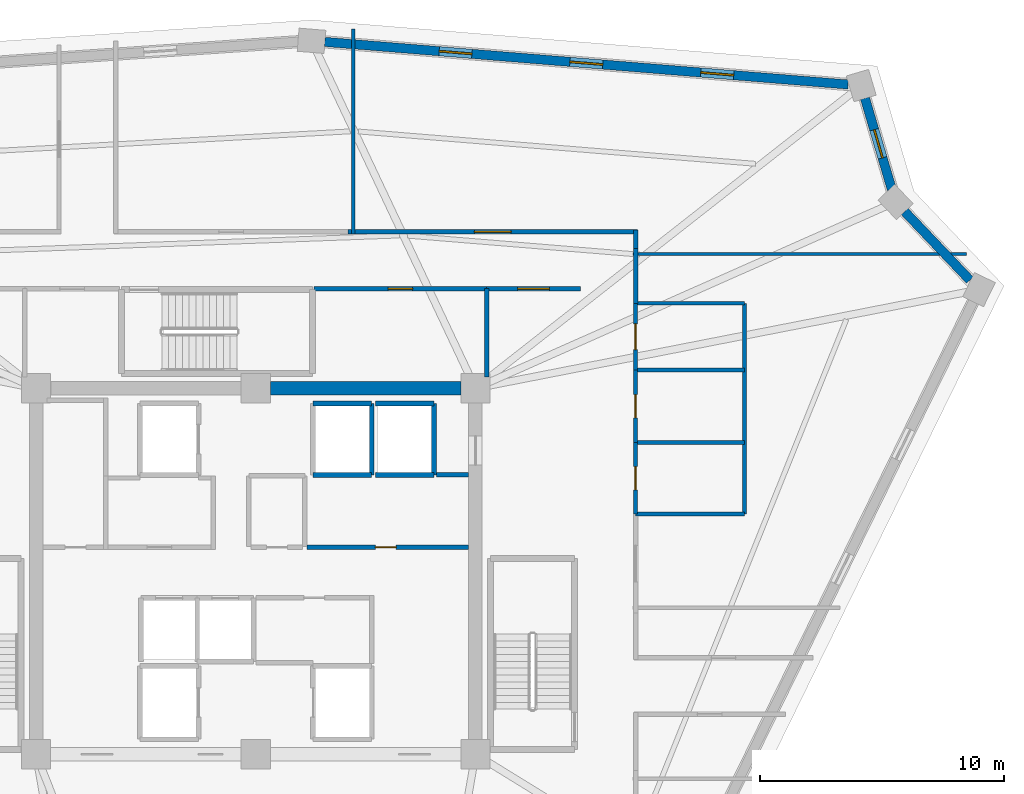
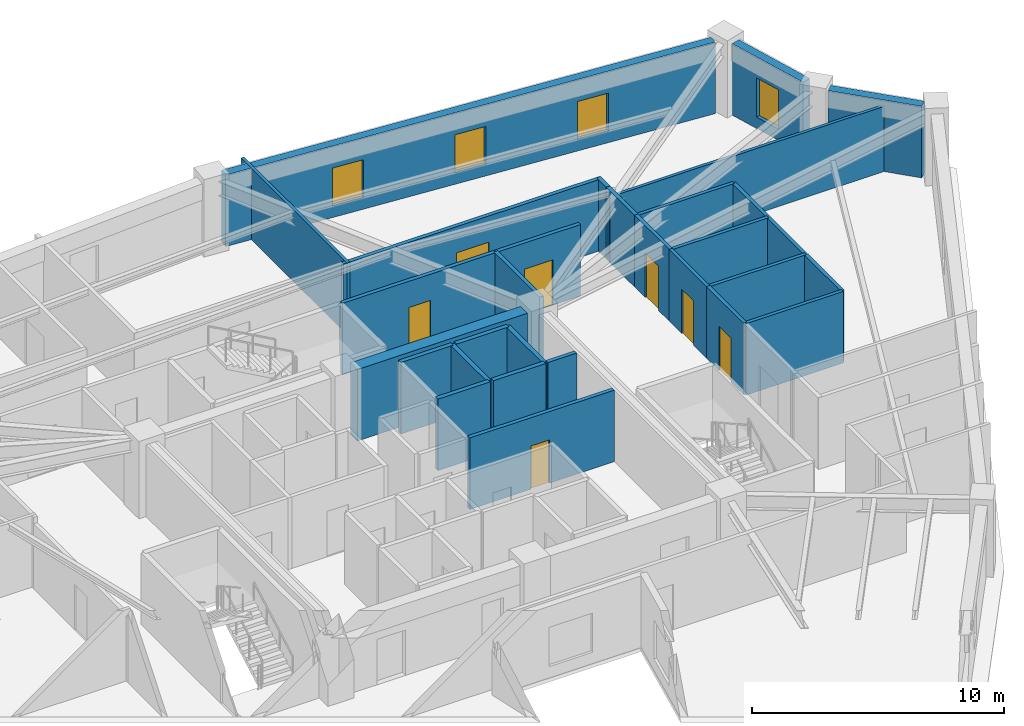
# One storey, part 6 of 8: 28 walls, 7 doors, 4 windows, 11 openings.
"""IFC4 building model written with IfcOpenShell, lengths in metres."""

import ifcopenshell
import ifcopenshell.guid

model = None  # the IFC model being written
_history = None  # IfcOwnerHistory: only IFC2X3 demands one
_inside = {}  # id of a spatial element -> (the spatial element, [elements in it])
_under = {}  # id of a project, library or spatial element -> (it, [spatial elements below it])
_declared = {}  # id of a project -> (the project, [libraries it declares])
_typed = {}  # id of a type object -> (the type object, [elements of that type])
_made_of = {}  # id of a material, layer set ... -> (it, [elements and type objects made of it])


def new_model(schema):
    """Start an empty IFC model of exactly this schema.

    Asked for "IFC4X3", IfcOpenShell would pick the latest addendum, in which some entities
    have other attributes; the version numbers below select the first issue.
    IFC2X3 requires an IfcOwnerHistory on every rooted entity: one is made here for all.
    """
    global model, _history
    if schema == "IFC4X3":
        model = ifcopenshell.file(schema_version=(4, 3, 0, 0))
    else:
        model = ifcopenshell.file(schema=schema)
    _inside.clear()
    _under.clear()
    _declared.clear()
    _typed.clear()
    _made_of.clear()
    _history = None
    if model.schema == "IFC2X3":
        org = make("IfcOrganization", Name="unknown")
        user = make(
            "IfcPersonAndOrganization",
            ThePerson=make("IfcPerson", FamilyName="unknown"),
            TheOrganization=org,
        )
        app = make(
            "IfcApplication",
            ApplicationDeveloper=org,
            Version="unknown",
            ApplicationFullName="unknown",
            ApplicationIdentifier="unknown",
        )
        _history = make(
            "IfcOwnerHistory",
            OwningUser=user,
            OwningApplication=app,
            ChangeAction="ADDED",
            CreationDate=0,
        )
    return model


def make(cls, **values):
    """One entity of the class cls with the attributes given. An attribute that is None is left unset."""
    return model.create_entity(
        cls, **{name: value for name, value in values.items() if value is not None}
    )


def rooted(cls, **values):
    """An entity with a GlobalId (a new one), such as an element, a storey or a relation."""
    return make(cls, GlobalId=ifcopenshell.guid.new(), OwnerHistory=_history, **values)


def si_unit(unit_type, name, prefix=None):
    """IfcSIUnit, for example si_unit("LENGTHUNIT", "METRE", prefix="MILLI")."""
    return make("IfcSIUnit", UnitType=unit_type, Prefix=prefix, Name=name)


def assignment(units):
    """IfcUnitAssignment: the units of a project."""
    return None if units is None else make("IfcUnitAssignment", Units=units)


def point(xyz):
    """IfcCartesianPoint."""
    return None if xyz is None else make("IfcCartesianPoint", Coordinates=xyz)


def direction(xyz):
    """IfcDirection."""
    return None if xyz is None else make("IfcDirection", DirectionRatios=xyz)


def frame(location, z_axis=None, x_axis=None):
    """IfcAxis2Placement3D, a coordinate frame: its origin and axes. An axis left out is left unset."""
    return make(
        "IfcAxis2Placement3D",
        Location=point(location),
        Axis=direction(z_axis),
        RefDirection=direction(x_axis),
    )


def frame_2d(location, x_axis=None):
    """IfcAxis2Placement2D, a coordinate frame in the plane: its origin and x axis."""
    return make(
        "IfcAxis2Placement2D", Location=point(location), RefDirection=direction(x_axis)
    )


def origin():
    """The frame at (0, 0, 0) with its axes left unset."""
    return frame((0.0, 0.0, 0.0))


def place(relative_to, where):
    """IfcLocalPlacement: puts the frame where relative to a parent placement (None: the world)."""
    return make(
        "IfcLocalPlacement", PlacementRelTo=relative_to, RelativePlacement=where
    )


def context(
    kind, dimensions, precision=None, world=None, true_north=None, identifier=None
):
    """IfcGeometricRepresentationContext, for example the 3D "Model" context."""
    return make(
        "IfcGeometricRepresentationContext",
        ContextIdentifier=identifier,
        ContextType=kind,
        CoordinateSpaceDimension=dimensions,
        Precision=precision,
        WorldCoordinateSystem=world,
        TrueNorth=true_north,
    )


def subcontext(parent, identifier, kind, view, scale=None):
    """IfcGeometricRepresentationSubContext, for example "Body" below "Model"."""
    return make(
        "IfcGeometricRepresentationSubContext",
        ContextIdentifier=identifier,
        ContextType=kind,
        ParentContext=parent,
        TargetScale=scale,
        TargetView=view,
    )


def project(units=None, contexts=None):
    """IfcProject with its units and contexts."""
    return rooted(
        "IfcProject",
        Name="project",
        RepresentationContexts=contexts,
        UnitsInContext=assignment(units),
    )


def spatial(cls, under=None, at=None, **own):
    """A site, building, storey or space (cls), placed at a placement, below another one or the project."""
    s = rooted(cls, ObjectPlacement=at, **own)
    if under is not None:
        _under.setdefault(under.id(), (under, []))[1].append(s)
    return s


def profile(cls, at=None, kind="AREA", **sizes):
    """A parametric profile (cls). Its sizes go by their IFC names, for example OverallWidth=200.0."""
    return make(cls, ProfileType=kind, Position=at, **sizes)


def rectangle(**sizes):
    """IfcRectangleProfileDef."""
    return profile("IfcRectangleProfileDef", **sizes)


def extrude(swept, where, along, depth):
    """IfcExtrudedAreaSolid: the profile swept, set in the frame where, extruded along a direction by depth."""
    return make(
        "IfcExtrudedAreaSolid",
        SweptArea=swept,
        Position=where,
        ExtrudedDirection=direction(along),
        Depth=depth,
    )


def shape(context_of_items, identifier, shape_type, items):
    """IfcShapeRepresentation: the items that make up one representation, for example the "Body"."""
    return make(
        "IfcShapeRepresentation",
        ContextOfItems=context_of_items,
        RepresentationIdentifier=identifier,
        RepresentationType=shape_type,
        Items=items,
    )


def source(mapping_origin, context_of_items, identifier, shape_type, items):
    """IfcRepresentationMap: a shape defined once, which mapped items show again and again."""
    return make(
        "IfcRepresentationMap",
        MappingOrigin=mapping_origin,
        MappedRepresentation=shape(context_of_items, identifier, shape_type, items),
    )


def transform(
    local_origin,
    x_axis=None,
    y_axis=None,
    z_axis=None,
    scale=None,
    scale2=None,
    scale3=None,
    uniform=True,
):
    """IfcCartesianTransformationOperator3D, or its non-uniform kind. x_axis, y_axis, z_axis: its Axis1, 2, 3."""
    if uniform:
        return make(
            "IfcCartesianTransformationOperator3D",
            Axis1=direction(x_axis),
            Axis2=direction(y_axis),
            LocalOrigin=point(local_origin),
            Scale=scale,
            Axis3=direction(z_axis),
        )
    return make(
        "IfcCartesianTransformationOperator3DnonUniform",
        Axis1=direction(x_axis),
        Axis2=direction(y_axis),
        LocalOrigin=point(local_origin),
        Scale=scale,
        Axis3=direction(z_axis),
        Scale2=scale2,
        Scale3=scale3,
    )


def mapped(mapping_source, mapping_target):
    """IfcMappedItem: shows the shape of a source again, moved by a transform."""
    return make(
        "IfcMappedItem", MappingSource=mapping_source, MappingTarget=mapping_target
    )


def material(Name=None, Category=None):
    """IfcMaterial."""
    return make("IfcMaterial", Name=Name, Category=Category)


def layer(
    of_material, thickness, ventilated=None, Name=None, Category=None, Priority=None
):
    """IfcMaterialLayer: one layer of a wall or slab, of a material (None: an air gap)."""
    return make(
        "IfcMaterialLayer",
        Material=of_material,
        LayerThickness=thickness,
        IsVentilated=ventilated,
        Name=Name,
        Category=Category,
        Priority=Priority,
    )


def layer_set(layers, Name=None):
    """IfcMaterialLayerSet."""
    return make("IfcMaterialLayerSet", MaterialLayers=layers, LayerSetName=Name)


def made_of(thing, what):
    """Note that an element or type object is made of a material, layer set ...; save() writes the relation."""
    if what is not None:
        _made_of.setdefault(what.id(), (what, []))[1].append(thing)
    return thing


def type_object(cls, material=None, **own):
    """A type object (cls), such as IfcWallType, which elements share."""
    return made_of(rooted(cls, **own), material)


def element(
    cls,
    number,
    at=None,
    inside=None,
    cuts=None,
    type_object=None,
    material=None,
    context=None,
    identifier="Body",
    shape_type=None,
    held_by="IfcProductDefinitionShape",
    body=None,
    shapes=None,
    **own,
):
    """One element of the class cls, such as IfcWall. Its Tag is "e" and its number.

    at: its placement. inside: the storey or other place that contains it. cuts: it is an
    opening in that element (IfcRelVoidsElement). A single representation is given by context,
    identifier, shape_type and body (its items); several are given by shapes. held_by: the class
    of the entity that holds the representations. save() writes the other relations.
    """
    e = rooted(cls, Tag="e%d" % number, ObjectPlacement=at, **own)
    if body is not None:
        shapes = [shape(context, identifier, shape_type, body)]
    if shapes is not None:
        e.Representation = make(held_by, Representations=shapes)
    if inside is not None:
        _inside.setdefault(inside.id(), (inside, []))[1].append(e)
    if cuts is not None:
        rooted(
            "IfcRelVoidsElement", RelatingBuildingElement=cuts, RelatedOpeningElement=e
        )
    if type_object is not None:
        _typed.setdefault(type_object.id(), (type_object, []))[1].append(e)
    return made_of(e, material)


def fill(opening, filler):
    """IfcRelFillsElement: the door or window that sits in an opening."""
    return rooted(
        "IfcRelFillsElement",
        RelatingOpeningElement=opening,
        RelatedBuildingElement=filler,
    )


def aggregate(whole, parts):
    """IfcRelAggregates: a whole, such as a stair, and the parts it consists of."""
    return rooted("IfcRelAggregates", RelatingObject=whole, RelatedObjects=parts)


def save(model, path):
    """Write the relations noted so far, then the file.

    IfcRelAggregates (storeys below a building ...), IfcRelContainedInSpatialStructure (elements
    in a storey), IfcRelDefinesByType, IfcRelAssociatesMaterial and IfcRelDeclares: one each for
    every whole, place, type object, material and project.
    """
    for whole, parts in _under.values():
        aggregate(whole, parts)
    for where, things in _inside.values():
        rooted(
            "IfcRelContainedInSpatialStructure",
            RelatedElements=things,
            RelatingStructure=where,
        )
    for kind, things in _typed.values():
        rooted("IfcRelDefinesByType", RelatedObjects=things, RelatingType=kind)
    for what, things in _made_of.values():
        rooted("IfcRelAssociatesMaterial", RelatedObjects=things, RelatingMaterial=what)
    for by, libraries in _declared.values():
        rooted("IfcRelDeclares", RelatingContext=by, RelatedDefinitions=libraries)
    model.write(path)


model = new_model("IFC4")

# Units and contexts
model_context = context("Model", 3, precision=1e-05, world=origin(), true_north=direction((0.0, 1.0)))
body_context = subcontext(model_context, "Body", "Model", "MODEL_VIEW")
ifc_project = project(units=[si_unit("LENGTHUNIT", "METRE"), si_unit("AREAUNIT", "SQUARE_METRE"), si_unit("VOLUMEUNIT", "CUBIC_METRE"), si_unit("PLANEANGLEUNIT", "RADIAN"), si_unit("MASSUNIT", "GRAM", prefix="KILO")], contexts=[model_context])

# Site, building, storey
site_placement = place(None, origin())
site = spatial("IfcSite", under=ifc_project, at=site_placement, CompositionType="ELEMENT")
building_placement = place(site_placement, origin())
building = spatial("IfcBuilding", under=site, at=building_placement, Name="Liaohun Quay Tower", CompositionType="ELEMENT")
storey_placement = place(building_placement, frame((0.0, 0.0, 320.25)))
storey = spatial("IfcBuildingStorey", under=building, at=storey_placement, Name="L83", CompositionType="ELEMENT", Elevation=320.25)

# Walls
ifc_material_1 = material(Name="Concrete C50", Category="concrete")
ifc_layer_1 = layer(ifc_material_1, 0.550048828125, Name="Concrete C50", Category="concrete")
ifc_layer_set_1 = layer_set([ifc_layer_1], Name="Concrete C50")
wall_type_1 = type_object("IfcWallType", Name="WAL-COR-Z4", PredefinedType="SHEAR", material=ifc_layer_set_1)
wall_1_placement = place(storey_placement, frame((60.60009765625, 61.5, 0.0), z_axis=(0.0, 0.0, 1.0), x_axis=(1.0, 0.0, 0.0)))
element("IfcWall", 1, at=wall_1_placement, inside=storey, type_object=wall_type_1, Name="L83 Central Core Shear Wall N-E", PredefinedType="SHEAR", context=body_context, shape_type="SweptSolid", body=[
    extrude(rectangle(XDim=7.7998046875, YDim=0.550048828125, at=frame_2d((3.89990234375, 0.0))), origin(), (0.0, 0.0, 1.0), 3.469970703125),
])
ifc_material_2 = material(Name="Precast concrete C50 insulated sandwich", Category="concrete")
ifc_layer_2 = layer(ifc_material_2, 0.3798828125, Name="Precast concrete C50 insulated sandwich", Category="concrete")
ifc_layer_set_2 = layer_set([ifc_layer_2], Name="Precast concrete C50 insulated sandwich")
wall_type_2 = type_object("IfcWallType", Name="WAL-EXT-Z34", PredefinedType="SOLIDWALL", material=ifc_layer_set_2)
wall_2_placement = place(storey_placement, frame((89.258056640625, 65.928955078125, 0.0), z_axis=(0.0, 0.0, 1.0), x_axis=(-0.689374007366, 0.724405603215, 0.0)))
element("IfcWall", 2, at=wall_2_placement, inside=storey, type_object=wall_type_2, Name="L83 Brutalist Precast Pier Wall 04", PredefinedType="SOLIDWALL", context=body_context, shape_type="SweptSolid", body=[
    extrude(rectangle(XDim=3.8818359375, YDim=0.3798828125, at=frame_2d((1.94091796875, 0.0))), origin(), (0.0, 0.0, 1.0), 3.469970703125),
])

# Wall, opening, window
wall_3_placement = place(storey_placement, frame((86.056884765625, 69.64990234375, 0.0), z_axis=(0.0, 0.0, 1.0), x_axis=(-0.282512921689, 0.95926349304, 0.0)))
wall_3 = element("IfcWall", 3, at=wall_3_placement, inside=storey, type_object=wall_type_2, Name="L83 Brutalist Precast Pier Wall 05", PredefinedType="SOLIDWALL", context=body_context, shape_type="SweptSolid", body=[
    extrude(rectangle(XDim=3.8896484375, YDim=0.3798828125, at=frame_2d((1.94482421875, 0.0))), origin(), (0.0, 0.0, 1.0), 3.469970703125),
])
shared_shape_1 = source(origin(), body_context, "Body", "SweptSolid", [
    extrude(rectangle(XDim=1.199951171875, YDim=1.89990234375, at=frame_2d((0.60009765625, 0.949951171875))), frame((0.0, 0.199951171875, 0.0), z_axis=(0.0, -1.0, 0.0), x_axis=(1.0, 0.0, 0.0)), (0.0, 0.0, 1.0), 0.39990234375),
])
opening_1_placement = place(wall_3_placement, frame((1.344970703125, 0.0, 0.550048828125)))
opening_1 = element("IfcOpeningElement", 4, at=opening_1_placement, cuts=wall_3, Name="Opening W05", PredefinedType="OPENING", context=body_context, shape_type="MappedRepresentation", body=[
    mapped(shared_shape_1, transform((0.0, 0.0, 0.0), x_axis=(1.0, 0.0, 0.0), y_axis=(0.0, 1.0, 0.0), z_axis=(0.0, 0.0, 1.0), scale=1.0)),
])
ifc_material_3 = material(Name="Triple Low-E corner notch glazing", Category="glass")
window_type_1 = type_object("IfcWindowType", Name="WIN-NOTCH", PartitioningType="SINGLE_PANEL", PredefinedType="WINDOW", material=ifc_material_3)
shared_shape_2 = source(origin(), body_context, "Body", "SweptSolid", [
    extrude(rectangle(XDim=1.199951171875, YDim=1.89990234375, at=frame_2d((0.60009765625, 0.949951171875))), frame((0.0, 0.030029296875, 0.0), z_axis=(0.0, -1.0, 0.0), x_axis=(1.0, 0.0, 0.0)), (0.0, 0.0, 1.0), 0.06005859375),
])
window_1_placement = place(opening_1_placement, origin())
window_1 = element("IfcWindow", 5, at=window_1_placement, inside=storey, type_object=window_type_1, Name="L83 Corner Notch Window W05-05", OverallHeight=1.89990234375, OverallWidth=1.199951171875, PartitioningType="SINGLE_PANEL", PredefinedType="WINDOW", context=body_context, shape_type="MappedRepresentation", body=[
    mapped(shared_shape_2, transform((0.0, 0.0, 0.0), x_axis=(1.0, 0.0, 0.0), y_axis=(0.0, 1.0, 0.0), z_axis=(0.0, 0.0, 1.0), scale=1.0)),
])
fill(opening_1, window_1)

# Wall, openings, windows
wall_4_placement = place(storey_placement, frame((84.26708984375, 73.943115234375, 0.0), z_axis=(0.0, 0.0, 1.0), x_axis=(-0.996698591672, 0.081190623594, 0.0)))
wall_4 = element("IfcWall", 6, at=wall_4_placement, inside=storey, type_object=wall_type_2, Name="L83 Brutalist Precast Pier Wall 06", PredefinedType="SOLIDWALL", context=body_context, shape_type="SweptSolid", body=[
    extrude(rectangle(XDim=21.51513671875, YDim=0.3798828125, at=frame_2d((10.757568359375, 0.0))), origin(), (0.0, 0.0, 1.0), 3.469970703125),
])
shared_shape_3 = source(origin(), body_context, "Body", "SweptSolid", [
    extrude(rectangle(XDim=1.35009765625, YDim=1.85009765625, at=frame_2d((0.675048828125, 0.925048828125))), frame((0.0, 0.199951171875, 0.0), z_axis=(0.0, -1.0, 0.0), x_axis=(1.0, 0.0, 0.0)), (0.0, 0.0, 1.0), 0.39990234375),
])
opening_2_placement = place(wall_4_placement, frame((4.7041015625, 0.0, 0.550048828125)))
opening_2 = element("IfcOpeningElement", 7, at=opening_2_placement, cuts=wall_4, Name="Opening W04", PredefinedType="OPENING", context=body_context, shape_type="MappedRepresentation", body=[
    mapped(shared_shape_3, transform((0.0, 0.0, 0.0), x_axis=(1.0, 0.0, 0.0), y_axis=(0.0, 1.0, 0.0), z_axis=(0.0, 0.0, 1.0), scale=1.0)),
])
opening_3_placement = place(wall_4_placement, frame((10.0830078125, 0.0, 0.550048828125)))
opening_3 = element("IfcOpeningElement", 8, at=opening_3_placement, cuts=wall_4, Name="Opening W04", PredefinedType="OPENING", context=body_context, shape_type="MappedRepresentation", body=[
    mapped(shared_shape_3, transform((0.0, 0.0, 0.0), x_axis=(1.0, 0.0, 0.0), y_axis=(0.0, 1.0, 0.0), z_axis=(0.0, 0.0, 1.0), scale=1.0)),
])
opening_4_placement = place(wall_4_placement, frame((15.4609375, 0.0, 0.550048828125)))
opening_4 = element("IfcOpeningElement", 9, at=opening_4_placement, cuts=wall_4, Name="Opening W04", PredefinedType="OPENING", context=body_context, shape_type="MappedRepresentation", body=[
    mapped(shared_shape_3, transform((0.0, 0.0, 0.0), x_axis=(1.0, 0.0, 0.0), y_axis=(0.0, 1.0, 0.0), z_axis=(0.0, 0.0, 1.0), scale=1.0)),
])
ifc_material_4 = material(Name="Triple Low-E argon glazing in thermally broken aluminium", Category="aluminium")
window_type_2 = type_object("IfcWindowType", Name="WIN-PUN-Z4", PartitioningType="SINGLE_PANEL", PredefinedType="WINDOW", material=ifc_material_4)
shared_shape_4 = source(origin(), body_context, "Body", "SweptSolid", [
    extrude(rectangle(XDim=1.35009765625, YDim=1.85009765625, at=frame_2d((0.675048828125, 0.925048828125))), frame((0.0, 0.030029296875, 0.0), z_axis=(0.0, -1.0, 0.0), x_axis=(1.0, 0.0, 0.0)), (0.0, 0.0, 1.0), 0.06005859375),
])
window_2_placement = place(opening_2_placement, origin())
window_2 = element("IfcWindow", 10, at=window_2_placement, inside=storey, type_object=window_type_2, Name="L83 Recessed Cold-Climate Punched Window 06-1", OverallHeight=1.85009765625, OverallWidth=1.35009765625, PartitioningType="SINGLE_PANEL", PredefinedType="WINDOW", context=body_context, shape_type="MappedRepresentation", body=[
    mapped(shared_shape_4, transform((0.0, 0.0, 0.0), x_axis=(1.0, 0.0, 0.0), y_axis=(0.0, 1.0, 0.0), z_axis=(0.0, 0.0, 1.0), scale=1.0)),
])
fill(opening_2, window_2)
window_3_placement = place(opening_3_placement, origin())
window_3 = element("IfcWindow", 11, at=window_3_placement, inside=storey, type_object=window_type_2, Name="L83 Recessed Cold-Climate Punched Window 06-2", OverallHeight=1.85009765625, OverallWidth=1.35009765625, PartitioningType="SINGLE_PANEL", PredefinedType="WINDOW", context=body_context, shape_type="MappedRepresentation", body=[
    mapped(shared_shape_4, transform((0.0, 0.0, 0.0), x_axis=(1.0, 0.0, 0.0), y_axis=(0.0, 1.0, 0.0), z_axis=(0.0, 0.0, 1.0), scale=1.0)),
])
fill(opening_3, window_3)
window_4_placement = place(opening_4_placement, origin())
window_4 = element("IfcWindow", 12, at=window_4_placement, inside=storey, type_object=window_type_2, Name="L83 Recessed Cold-Climate Punched Window 06-3", OverallHeight=1.85009765625, OverallWidth=1.35009765625, PartitioningType="SINGLE_PANEL", PredefinedType="WINDOW", context=body_context, shape_type="MappedRepresentation", body=[
    mapped(shared_shape_4, transform((0.0, 0.0, 0.0), x_axis=(1.0, 0.0, 0.0), y_axis=(0.0, 1.0, 0.0), z_axis=(0.0, 0.0, 1.0), scale=1.0)),
])
fill(opening_4, window_4)

# Wall, opening, door
ifc_material_5 = material(Name="Autoclaved aerated concrete blockwork", Category="masonry")
ifc_layer_3 = layer(ifc_material_5, 0.179931640625, Name="Autoclaved aerated concrete blockwork", Category="masonry")
ifc_layer_set_3 = layer_set([ifc_layer_3], Name="Autoclaved aerated concrete blockwork")
wall_type_3 = type_object("IfcWallType", Name="WAL-PRT-COR", PredefinedType="PARTITIONING", material=ifc_layer_set_3)
wall_5_placement = place(storey_placement, frame((62.10009765625, 54.97998046875, 0.0), z_axis=(0.0, 0.0, 1.0), x_axis=(1.0, 0.0, 0.0)))
wall_5 = element("IfcWall", 13, at=wall_5_placement, inside=storey, type_object=wall_type_3, Name="L83 Interior Partition Wall 004", PredefinedType="PARTITIONING", context=body_context, shape_type="SweptSolid", body=[
    extrude(rectangle(XDim=6.625, YDim=0.179931640625, at=frame_2d((3.3125, 0.0))), origin(), (0.0, 0.0, 1.0), 3.469970703125),
])
shared_shape_5 = source(origin(), body_context, "Body", "SweptSolid", [
    extrude(rectangle(XDim=0.85009765625, YDim=2.10009765625, at=frame_2d((0.425048828125, 1.050048828125))), frame((0.0, 0.099853515625, 0.0), z_axis=(0.0, -1.0, 0.0), x_axis=(1.0, 0.0, 0.0)), (0.0, 0.0, 1.0), 0.199951171875),
])
opening_5_placement = place(wall_5_placement, frame((2.800048828125, 0.0, 0.0)))
opening_5 = element("IfcOpeningElement", 14, at=opening_5_placement, cuts=wall_5, Name="Opening AD1", PredefinedType="OPENING", context=body_context, shape_type="MappedRepresentation", body=[
    mapped(shared_shape_5, transform((0.0, 0.0, 0.0), x_axis=(1.0, 0.0, 0.0), y_axis=(0.0, 1.0, 0.0), z_axis=(0.0, 0.0, 1.0), scale=1.0)),
])
ifc_material_6 = material(Name="Steel riser inspection fire door", Category="steel")
door_type_1 = type_object("IfcDoorType", Name="DOR-SHF-850", OperationType="NOTDEFINED", PredefinedType="DOOR", material=ifc_material_6)
shared_shape_6 = source(origin(), body_context, "Body", "SweptSolid", [
    extrude(rectangle(XDim=0.85009765625, YDim=2.10009765625, at=frame_2d((0.425048828125, 1.050048828125))), frame((0.0, 0.02490234375, 0.0), z_axis=(0.0, -1.0, 0.0), x_axis=(1.0, 0.0, 0.0)), (0.0, 0.0, 1.0), 0.050048828125),
])
door_1_placement = place(opening_5_placement, origin())
door_1 = element("IfcDoor", 15, at=door_1_placement, inside=storey, type_object=door_type_1, Name="L83 Core Facilities and Cleaner Store Door", OperationType="SINGLE_SWING_LEFT", OverallHeight=2.10009765625, OverallWidth=0.85009765625, PredefinedType="DOOR", context=body_context, shape_type="MappedRepresentation", body=[
    mapped(shared_shape_6, transform((0.0, 0.0, 0.0), x_axis=(1.0, 0.0, 0.0), y_axis=(0.0, 1.0, 0.0), z_axis=(0.0, 0.0, 1.0), scale=1.0)),
])
fill(opening_5, door_1)

wall_6_placement = place(storey_placement, frame((62.389892578125, 65.580078125, 0.0), z_axis=(0.0, 0.0, 1.0), x_axis=(1.0, 0.0, 0.0)))
wall_6 = element("IfcWall", 16, at=wall_6_placement, inside=storey, type_object=wall_type_3, Name="L83 Interior Partition Wall 010", PredefinedType="PARTITIONING", context=body_context, shape_type="SweptSolid", body=[
    extrude(rectangle(XDim=7.070068359375, YDim=0.179931640625, at=frame_2d((3.53515625, 0.0))), origin(), (0.0, 0.0, 1.0), 3.469970703125),
])
shared_shape_7 = source(origin(), body_context, "Body", "SweptSolid", [
    extrude(rectangle(XDim=1.0, YDim=2.199951171875, at=frame_2d((0.5, 1.10009765625))), frame((0.0, 0.099853515625, 0.0), z_axis=(0.0, -1.0, 0.0), x_axis=(1.0, 0.0, 0.0)), (0.0, 0.0, 1.0), 0.199951171875),
])
opening_6_placement = place(wall_6_placement, frame((3.034912109375, 0.0, 0.0)))
opening_6 = element("IfcOpeningElement", 17, at=opening_6_placement, cuts=wall_6, Name="Opening OD1", PredefinedType="OPENING", context=body_context, shape_type="MappedRepresentation", body=[
    mapped(shared_shape_7, transform((0.0, 0.0, 0.0), x_axis=(1.0, 0.0, 0.0), y_axis=(0.0, 1.0, 0.0), z_axis=(0.0, 0.0, 1.0), scale=1.0)),
])
ifc_material_7 = material(Name="Solid-core oak veneer timber leaf in steel frame", Category="steel")
door_type_2 = type_object("IfcDoorType", Name="DOR-OFF-1000", OperationType="NOTDEFINED", PredefinedType="DOOR", material=ifc_material_7)
shared_shape_8 = source(origin(), body_context, "Body", "SweptSolid", [
    extrude(rectangle(XDim=1.0, YDim=2.199951171875, at=frame_2d((0.5, 1.10009765625))), frame((0.0, 0.02490234375, 0.0), z_axis=(0.0, -1.0, 0.0), x_axis=(1.0, 0.0, 0.0)), (0.0, 0.0, 1.0), 0.050048828125),
])
door_2_placement = place(opening_6_placement, origin())
door_2 = element("IfcDoor", 18, at=door_2_placement, inside=storey, type_object=door_type_2, Name="L83 North-East Archive and Mail Room Door", OperationType="SINGLE_SWING_LEFT", OverallHeight=2.199951171875, OverallWidth=1.0, PredefinedType="DOOR", context=body_context, shape_type="MappedRepresentation", body=[
    mapped(shared_shape_8, transform((0.0, 0.0, 0.0), x_axis=(1.0, 0.0, 0.0), y_axis=(0.0, 1.0, 0.0), z_axis=(0.0, 0.0, 1.0), scale=1.0)),
])
fill(opening_6, door_2)

wall_7_placement = place(storey_placement, frame((69.4599609375, 65.580078125, 0.0), z_axis=(0.0, 0.0, 1.0), x_axis=(1.0, 0.0, 0.0)))
wall_7 = element("IfcWall", 19, at=wall_7_placement, inside=storey, type_object=wall_type_3, Name="L83 Interior Partition Wall 012", PredefinedType="PARTITIONING", context=body_context, shape_type="SweptSolid", body=[
    extrude(rectangle(XDim=3.840087890625, YDim=0.179931640625, at=frame_2d((1.919921875, 0.0))), origin(), (0.0, 0.0, 1.0), 3.469970703125),
])
shared_shape_9 = source(origin(), body_context, "Body", "SweptSolid", [
    extrude(rectangle(XDim=1.300048828125, YDim=2.199951171875, at=frame_2d((0.64990234375, 1.10009765625))), frame((0.0, 0.099853515625, 0.0), z_axis=(0.0, -1.0, 0.0), x_axis=(1.0, 0.0, 0.0)), (0.0, 0.0, 1.0), 0.199951171875),
])
opening_7_placement = place(wall_7_placement, frame((1.27001953125, 0.0, 0.0)))
opening_7 = element("IfcOpeningElement", 20, at=opening_7_placement, cuts=wall_7, Name="Opening FD1", PredefinedType="OPENING", context=body_context, shape_type="MappedRepresentation", body=[
    mapped(shared_shape_9, transform((0.0, 0.0, 0.0), x_axis=(1.0, 0.0, 0.0), y_axis=(0.0, 1.0, 0.0), z_axis=(0.0, 0.0, 1.0), scale=1.0)),
])
ifc_material_8 = material(Name="Galvanised steel smokeproof fire door", Category="steel")
door_type_3 = type_object("IfcDoorType", Name="DOR-FFL-1300", OperationType="NOTDEFINED", PredefinedType="DOOR", material=ifc_material_8)
shared_shape_10 = source(origin(), body_context, "Body", "SweptSolid", [
    extrude(rectangle(XDim=1.300048828125, YDim=2.199951171875, at=frame_2d((0.64990234375, 1.10009765625))), frame((0.0, 0.02490234375, 0.0), z_axis=(0.0, -1.0, 0.0), x_axis=(1.0, 0.0, 0.0)), (0.0, 0.0, 1.0), 0.050048828125),
])
door_3_placement = place(opening_7_placement, origin())
door_3 = element("IfcDoor", 21, at=door_3_placement, inside=storey, type_object=door_type_3, Name="L83 East Core Vestibule Door", OperationType="SINGLE_SWING_LEFT", OverallHeight=2.199951171875, OverallWidth=1.300048828125, PredefinedType="DOOR", context=body_context, shape_type="MappedRepresentation", body=[
    mapped(shared_shape_10, transform((0.0, 0.0, 0.0), x_axis=(1.0, 0.0, 0.0), y_axis=(0.0, 1.0, 0.0), z_axis=(0.0, 0.0, 1.0), scale=1.0)),
])
fill(opening_7, door_3)

wall_8_placement = place(storey_placement, frame((63.784912109375, 67.909912109375, 0.0), z_axis=(0.0, 0.0, 1.0), x_axis=(1.0, 0.0, 0.0)))
wall_8 = element("IfcWall", 22, at=wall_8_placement, inside=storey, type_object=wall_type_3, Name="L83 Interior Partition Wall 014", PredefinedType="PARTITIONING", context=body_context, shape_type="SweptSolid", body=[
    extrude(rectangle(XDim=11.844970703125, YDim=0.179931640625, at=frame_2d((5.92236328125, 0.0))), origin(), (0.0, 0.0, 1.0), 3.469970703125),
])
shared_shape_11 = source(origin(), body_context, "Body", "SweptSolid", [
    extrude(rectangle(XDim=1.5, YDim=2.199951171875, at=frame_2d((0.75, 1.10009765625))), frame((0.0, 0.099853515625, 0.0), z_axis=(0.0, -1.0, 0.0), x_axis=(1.0, 0.0, 0.0)), (0.0, 0.0, 1.0), 0.199951171875),
])
opening_8_placement = place(wall_8_placement, frame((5.172119140625, 0.0, 0.0)))
opening_8 = element("IfcOpeningElement", 23, at=opening_8_placement, cuts=wall_8, Name="Opening OD2", PredefinedType="OPENING", context=body_context, shape_type="MappedRepresentation", body=[
    mapped(shared_shape_11, transform((0.0, 0.0, 0.0), x_axis=(1.0, 0.0, 0.0), y_axis=(0.0, 1.0, 0.0), z_axis=(0.0, 0.0, 1.0), scale=1.0)),
])
ifc_material_9 = material(Name="Acoustic oak veneer double door")
door_type_4 = type_object("IfcDoorType", Name="DOR-OFF-1500", OperationType="DOUBLE_DOOR_SINGLE_SWING", PredefinedType="DOOR", material=ifc_material_9)
shared_shape_12 = source(origin(), body_context, "Body", "SweptSolid", [
    extrude(rectangle(XDim=1.5, YDim=2.199951171875, at=frame_2d((0.75, 1.10009765625))), frame((0.0, 0.02490234375, 0.0), z_axis=(0.0, -1.0, 0.0), x_axis=(1.0, 0.0, 0.0)), (0.0, 0.0, 1.0), 0.050048828125),
])
door_4_placement = place(opening_8_placement, origin())
door_4 = element("IfcDoor", 24, at=door_4_placement, inside=storey, type_object=door_type_4, Name="L83 Client Collaboration Lounge 02 Door", OperationType="DOUBLE_DOOR_SINGLE_SWING", OverallHeight=2.199951171875, OverallWidth=1.5, PredefinedType="DOOR", context=body_context, shape_type="MappedRepresentation", body=[
    mapped(shared_shape_12, transform((0.0, 0.0, 0.0), x_axis=(1.0, 0.0, 0.0), y_axis=(0.0, 1.0, 0.0), z_axis=(0.0, 0.0, 1.0), scale=1.0)),
])
fill(opening_8, door_4)

# Walls
wall_9_placement = place(storey_placement, frame((69.4599609375, 61.949951171875, 0.0), z_axis=(0.0, 0.0, 1.0), x_axis=(0.0, 1.0, 0.0)))
element("IfcWall", 25, at=wall_9_placement, inside=storey, type_object=wall_type_3, Name="L83 Interior Partition Wall 032", PredefinedType="PARTITIONING", context=body_context, shape_type="SweptSolid", body=[
    extrude(rectangle(XDim=3.630126953125, YDim=0.179931640625, at=frame_2d((1.81494140625, 0.0))), origin(), (0.0, 0.0, 1.0), 3.469970703125),
])
wall_10_placement = place(storey_placement, frame((75.56005859375, 67.215087890625, 0.0), z_axis=(0.0, 0.0, 1.0), x_axis=(0.0, -1.0, 0.0)))
element("IfcWall", 26, at=wall_10_placement, inside=storey, type_object=wall_type_3, Name="L83 Interior Partition Wall 033", PredefinedType="PARTITIONING", context=body_context, shape_type="SweptSolid", body=[
    extrude(rectangle(XDim=2.235107421875, YDim=0.179931640625, at=frame_2d((1.11767578125, 0.0))), origin(), (0.0, 0.0, 1.0), 3.469970703125),
])
wall_11_placement = place(storey_placement, frame((75.56005859375, 67.97998046875, 0.0), z_axis=(0.0, 0.0, 1.0), x_axis=(0.0, -1.0, 0.0)))
element("IfcWall", 27, at=wall_11_placement, inside=storey, type_object=wall_type_3, Name="L83 Interior Partition Wall 034", PredefinedType="PARTITIONING", context=body_context, shape_type="SweptSolid", body=[
    extrude(rectangle(XDim=0.764892578125, YDim=0.179931640625, at=frame_2d((0.38232421875, 0.0))), origin(), (0.0, 0.0, 1.0), 3.469970703125),
])
wall_12_placement = place(storey_placement, frame((67.39990234375, 57.949951171875, 0.0), z_axis=(0.0, 0.0, 1.0), x_axis=(1.0, 0.0, 0.0)))
element("IfcWall", 28, at=wall_12_placement, inside=storey, type_object=wall_type_3, Name="L83 Interior Partition Wall 058", PredefinedType="PARTITIONING", context=body_context, shape_type="SweptSolid", body=[
    extrude(rectangle(XDim=1.3251953125, YDim=0.179931640625, at=frame_2d((0.66259765625, 0.0))), origin(), (0.0, 0.0, 1.0), 3.469970703125),
])
ifc_material_10 = material(Name="Gypsum board on twin steel studs", Category="steel")
ifc_layer_4 = layer(ifc_material_10, 0.139892578125, Name="Gypsum board on twin steel studs", Category="steel")
ifc_layer_set_4 = layer_set([ifc_layer_4], Name="Gypsum board on twin steel studs")
wall_type_4 = type_object("IfcWallType", Name="WAL-PRT-OFF", PredefinedType="PARTITIONING", material=ifc_layer_set_4)
wall_13_placement = place(storey_placement, frame((75.4599609375, 67.0, 0.0), z_axis=(0.0, 0.0, 1.0), x_axis=(1.0, 0.0, 0.0)))
element("IfcWall", 29, at=wall_13_placement, inside=storey, type_object=wall_type_4, Name="L83 Interior Partition Wall 048", PredefinedType="PARTITIONING", context=body_context, shape_type="SweptSolid", body=[
    extrude(rectangle(XDim=13.64794921875, YDim=0.139892578125, at=frame_2d((6.823974609375, 0.0))), origin(), (0.0, 0.0, 1.0), 3.160888671875),
])
wall_14_placement = place(storey_placement, frame((64.0, 67.81005859375, 0.0), z_axis=(0.0, 0.0, 1.0), x_axis=(0.0, 1.0, 0.0)))
element("IfcWall", 30, at=wall_14_placement, inside=storey, type_object=wall_type_4, Name="L83 Interior Partition Wall 049", PredefinedType="PARTITIONING", context=body_context, shape_type="SweptSolid", body=[
    extrude(rectangle(XDim=8.416015625, YDim=0.139892578125, at=frame_2d((4.2080078125, 0.0))), origin(), (0.0, 0.0, 1.0), 3.469970703125),
])

# Wall, opening, door
ifc_material_11 = material(Name="Moisture-resistant masonry blockwork", Category="masonry")
ifc_layer_5 = layer(ifc_material_11, 0.159912109375, Name="Moisture-resistant masonry blockwork", Category="masonry")
ifc_layer_set_5 = layer_set([ifc_layer_5], Name="Moisture-resistant masonry blockwork")
wall_type_5 = type_object("IfcWallType", Name="WAL-PRT-WET", PredefinedType="PARTITIONING", material=ifc_layer_set_5)
wall_15_placement = place(storey_placement, frame((75.56005859375, 56.340087890625, 0.0), z_axis=(0.0, 0.0, 1.0), x_axis=(0.0, 1.0, 0.0)))
wall_15 = element("IfcWall", 31, at=wall_15_placement, inside=storey, type_object=wall_type_5, Name="L83 Interior Partition Wall 006", PredefinedType="PARTITIONING", context=body_context, shape_type="SweptSolid", body=[
    extrude(rectangle(XDim=2.93994140625, YDim=0.159912109375, at=frame_2d((1.469970703125, 0.0))), origin(), (0.0, 0.0, 1.0), 3.469970703125),
])
shared_shape_13 = source(origin(), body_context, "Body", "SweptSolid", [
    extrude(rectangle(XDim=0.949951171875, YDim=2.14990234375, at=frame_2d((0.47509765625, 1.074951171875))), frame((0.0, 0.08984375, 0.0), z_axis=(0.0, -1.0, 0.0), x_axis=(1.0, 0.0, 0.0)), (0.0, 0.0, 1.0), 0.179931640625),
])
opening_9_placement = place(wall_15_placement, frame((0.9951171875, 0.0, 0.0)))
opening_9 = element("IfcOpeningElement", 32, at=opening_9_placement, cuts=wall_15, Name="Opening WD1", PredefinedType="OPENING", context=body_context, shape_type="MappedRepresentation", body=[
    mapped(shared_shape_13, transform((0.0, 0.0, 0.0), x_axis=(1.0, 0.0, 0.0), y_axis=(0.0, 1.0, 0.0), z_axis=(0.0, 0.0, 1.0), scale=1.0)),
])
ifc_material_12 = material(Name="Moisture-resistant laminate timber leaf", Category="wood")
door_type_5 = type_object("IfcDoorType", Name="DOR-WC-950", OperationType="NOTDEFINED", PredefinedType="DOOR", material=ifc_material_12)
shared_shape_14 = source(origin(), body_context, "Body", "SweptSolid", [
    extrude(rectangle(XDim=0.949951171875, YDim=2.14990234375, at=frame_2d((0.47509765625, 1.074951171875))), frame((0.0, 0.02490234375, 0.0), z_axis=(0.0, -1.0, 0.0), x_axis=(1.0, 0.0, 0.0)), (0.0, 0.0, 1.0), 0.050048828125),
])
door_5_placement = place(opening_9_placement, origin())
door_5 = element("IfcDoor", 33, at=door_5_placement, inside=storey, type_object=door_type_5, Name="L83 Male Restroom WC Door", OperationType="SINGLE_SWING_LEFT", OverallHeight=2.14990234375, OverallWidth=0.949951171875, PredefinedType="DOOR", context=body_context, shape_type="MappedRepresentation", body=[
    mapped(shared_shape_14, transform((0.0, 0.0, 0.0), x_axis=(1.0, 0.0, 0.0), y_axis=(0.0, 1.0, 0.0), z_axis=(0.0, 0.0, 1.0), scale=1.0)),
])
fill(opening_9, door_5)

wall_16_placement = place(storey_placement, frame((75.56005859375, 59.280029296875, 0.0), z_axis=(0.0, 0.0, 1.0), x_axis=(0.0, 1.0, 0.0)))
wall_16 = element("IfcWall", 34, at=wall_16_placement, inside=storey, type_object=wall_type_5, Name="L83 Interior Partition Wall 007", PredefinedType="PARTITIONING", context=body_context, shape_type="SweptSolid", body=[
    extrude(rectangle(XDim=2.9599609375, YDim=0.159912109375, at=frame_2d((1.47998046875, 0.0))), origin(), (0.0, 0.0, 1.0), 3.469970703125),
])
opening_10_placement = place(wall_16_placement, frame((1.0048828125, 0.0, 0.0)))
opening_10 = element("IfcOpeningElement", 35, at=opening_10_placement, cuts=wall_16, Name="Opening WD1", PredefinedType="OPENING", context=body_context, shape_type="MappedRepresentation", body=[
    mapped(shared_shape_13, transform((0.0, 0.0, 0.0), x_axis=(1.0, 0.0, 0.0), y_axis=(0.0, 1.0, 0.0), z_axis=(0.0, 0.0, 1.0), scale=1.0)),
])
door_6_placement = place(opening_10_placement, origin())
door_6 = element("IfcDoor", 36, at=door_6_placement, inside=storey, type_object=door_type_5, Name="L83 Female Restroom WC Door", OperationType="SINGLE_SWING_RIGHT", OverallHeight=2.14990234375, OverallWidth=0.949951171875, PredefinedType="DOOR", context=body_context, shape_type="MappedRepresentation", body=[
    mapped(shared_shape_14, transform((0.0, 0.0, 0.0), x_axis=(1.0, 0.0, 0.0), y_axis=(0.0, 1.0, 0.0), z_axis=(0.0, 0.0, 1.0), scale=1.0)),
])
fill(opening_10, door_6)

wall_17_placement = place(storey_placement, frame((75.56005859375, 62.239990234375, 0.0), z_axis=(0.0, 0.0, 1.0), x_axis=(0.0, 1.0, 0.0)))
wall_17 = element("IfcWall", 37, at=wall_17_placement, inside=storey, type_object=wall_type_5, Name="L83 Interior Partition Wall 008", PredefinedType="PARTITIONING", context=body_context, shape_type="SweptSolid", body=[
    extrude(rectangle(XDim=2.739990234375, YDim=0.159912109375, at=frame_2d((1.3701171875, 0.0))), origin(), (0.0, 0.0, 1.0), 3.469970703125),
])
shared_shape_15 = source(origin(), body_context, "Body", "SweptSolid", [
    extrude(rectangle(XDim=1.050048828125, YDim=2.14990234375, at=frame_2d((0.52490234375, 1.074951171875))), frame((0.0, 0.08984375, 0.0), z_axis=(0.0, -1.0, 0.0), x_axis=(1.0, 0.0, 0.0)), (0.0, 0.0, 1.0), 0.179931640625),
])
opening_11_placement = place(wall_17_placement, frame((0.844970703125, 0.0, 0.0)))
opening_11 = element("IfcOpeningElement", 38, at=opening_11_placement, cuts=wall_17, Name="Opening WD2", PredefinedType="OPENING", context=body_context, shape_type="MappedRepresentation", body=[
    mapped(shared_shape_15, transform((0.0, 0.0, 0.0), x_axis=(1.0, 0.0, 0.0), y_axis=(0.0, 1.0, 0.0), z_axis=(0.0, 0.0, 1.0), scale=1.0)),
])
ifc_material_13 = material(Name="Accessible outward-swinging laminate door")
door_type_6 = type_object("IfcDoorType", Name="DOR-AWC-1050", OperationType="NOTDEFINED", PredefinedType="DOOR", material=ifc_material_13)
shared_shape_16 = source(origin(), body_context, "Body", "SweptSolid", [
    extrude(rectangle(XDim=1.050048828125, YDim=2.14990234375, at=frame_2d((0.52490234375, 1.074951171875))), frame((0.0, 0.02490234375, 0.0), z_axis=(0.0, -1.0, 0.0), x_axis=(1.0, 0.0, 0.0)), (0.0, 0.0, 1.0), 0.050048828125),
])
door_7_placement = place(opening_11_placement, origin())
door_7 = element("IfcDoor", 39, at=door_7_placement, inside=storey, type_object=door_type_6, Name="L83 Accessible WC Door", OperationType="SINGLE_SWING_LEFT", OverallHeight=2.14990234375, OverallWidth=1.050048828125, PredefinedType="DOOR", context=body_context, shape_type="MappedRepresentation", body=[
    mapped(shared_shape_16, transform((0.0, 0.0, 0.0), x_axis=(1.0, 0.0, 0.0), y_axis=(0.0, 1.0, 0.0), z_axis=(0.0, 0.0, 1.0), scale=1.0)),
])
fill(opening_11, door_7)

# Walls
wall_18_placement = place(storey_placement, frame((80.02001953125, 56.340087890625, 0.0), z_axis=(0.0, 0.0, 1.0), x_axis=(0.0, 1.0, 0.0)))
element("IfcWall", 40, at=wall_18_placement, inside=storey, type_object=wall_type_5, Name="L83 Interior Partition Wall 026", PredefinedType="PARTITIONING", context=body_context, shape_type="SweptSolid", body=[
    extrude(rectangle(XDim=8.639892578125, YDim=0.159912109375, at=frame_2d((4.31982421875, 0.0))), origin(), (0.0, 0.0, 1.0), 3.469970703125),
])
for number, where, z_axis, x_axis, name in (
    (41, (75.56005859375, 56.340087890625, 0.0), (0.0, 0.0, 1.0), (1.0, 0.0, 0.0), "L83 Interior Partition Wall 027"),
    (42, (75.56005859375, 59.280029296875, 0.0), (0.0, 0.0, 1.0), (1.0, 0.0, 0.0), "L83 Interior Partition Wall 028"),
    (43, (75.56005859375, 62.239990234375, 0.0), (0.0, 0.0, 1.0), (1.0, 0.0, 0.0), "L83 Interior Partition Wall 029"),
    (44, (75.56005859375, 64.97998046875, 0.0), (0.0, 0.0, 1.0), (1.0, 0.0, 0.0), "L83 Interior Partition Wall 030"),
):
    element("IfcWall", number, at=place(storey_placement, frame(where, z_axis=z_axis, x_axis=x_axis)), inside=storey, type_object=wall_type_5, Name=name, PredefinedType="PARTITIONING", context=body_context, shape_type="SweptSolid", body=[
        extrude(rectangle(XDim=4.4599609375, YDim=0.159912109375, at=frame_2d((2.22998046875, 0.0))), origin(), (0.0, 0.0, 1.0), 3.469970703125),
    ])
ifc_layer_6 = layer(ifc_material_1, 0.239990234375, Name="Concrete C50", Category="concrete")
ifc_layer_set_6 = layer_set([ifc_layer_6], Name="Concrete C50")
wall_type_6 = type_object("IfcWallType", Name="WAL-SHF-200", PredefinedType="SOLIDWALL", material=ifc_layer_set_6)
wall_19_placement = place(storey_placement, frame((62.35009765625, 57.949951171875, 0.0), z_axis=(0.0, 0.0, 1.0), x_axis=(1.0, 0.0, 0.0)))
element("IfcWall", 45, at=wall_19_placement, inside=storey, type_object=wall_type_6, Name="L83 Lift OB-01 Hoistway Wall S", PredefinedType="SOLIDWALL", context=body_context, shape_type="SweptSolid", body=[
    extrude(rectangle(XDim=2.39990234375, YDim=0.199951171875, at=frame_2d((1.199951171875, 0.0))), origin(), (0.0, 0.0, 1.0), 3.469970703125),
])
wall_20_placement = place(storey_placement, frame((64.75, 57.949951171875, 0.0), z_axis=(0.0, 0.0, 1.0), x_axis=(0.0, 1.0, 0.0)))
element("IfcWall", 46, at=wall_20_placement, inside=storey, type_object=wall_type_6, Name="L83 Lift OB-01 Hoistway Wall E", PredefinedType="SOLIDWALL", context=body_context, shape_type="SweptSolid", body=[
    extrude(rectangle(XDim=2.929931640625, YDim=0.199951171875, at=frame_2d((1.46484375, 0.0))), origin(), (0.0, 0.0, 1.0), 3.469970703125),
])
wall_21_placement = place(storey_placement, frame((64.75, 60.8798828125, 0.0), z_axis=(0.0, 0.0, 1.0), x_axis=(-1.0, 0.0, 0.0)))
element("IfcWall", 47, at=wall_21_placement, inside=storey, type_object=wall_type_6, Name="L83 Lift OB-01 Hoistway Wall N", PredefinedType="SOLIDWALL", context=body_context, shape_type="SweptSolid", body=[
    extrude(rectangle(XDim=2.39990234375, YDim=0.199951171875, at=frame_2d((1.199951171875, 0.0))), origin(), (0.0, 0.0, 1.0), 3.469970703125),
])
wall_22_placement = place(storey_placement, frame((64.89990234375, 57.949951171875, 0.0), z_axis=(0.0, 0.0, 1.0), x_axis=(1.0, 0.0, 0.0)))
element("IfcWall", 48, at=wall_22_placement, inside=storey, type_object=wall_type_6, Name="L83 Lift OB-02 Hoistway Wall S", PredefinedType="SOLIDWALL", context=body_context, shape_type="SweptSolid", body=[
    extrude(rectangle(XDim=2.400146484375, YDim=0.199951171875, at=frame_2d((1.2001953125, 0.0))), origin(), (0.0, 0.0, 1.0), 3.469970703125),
])
wall_23_placement = place(storey_placement, frame((67.300048828125, 57.949951171875, 0.0), z_axis=(0.0, 0.0, 1.0), x_axis=(0.0, 1.0, 0.0)))
element("IfcWall", 49, at=wall_23_placement, inside=storey, type_object=wall_type_6, Name="L83 Lift OB-02 Hoistway Wall E", PredefinedType="SOLIDWALL", context=body_context, shape_type="SweptSolid", body=[
    extrude(rectangle(XDim=2.929931640625, YDim=0.199951171875, at=frame_2d((1.46484375, 0.0))), origin(), (0.0, 0.0, 1.0), 3.469970703125),
])
wall_24_placement = place(storey_placement, frame((67.300048828125, 60.8798828125, 0.0), z_axis=(0.0, 0.0, 1.0), x_axis=(-1.0, 0.0, 0.0)))
element("IfcWall", 50, at=wall_24_placement, inside=storey, type_object=wall_type_6, Name="L83 Lift OB-02 Hoistway Wall N", PredefinedType="SOLIDWALL", context=body_context, shape_type="SweptSolid", body=[
    extrude(rectangle(XDim=2.400146484375, YDim=0.199951171875, at=frame_2d((1.2001953125, 0.0))), origin(), (0.0, 0.0, 1.0), 3.469970703125),
])

save(model, "model.ifc")
